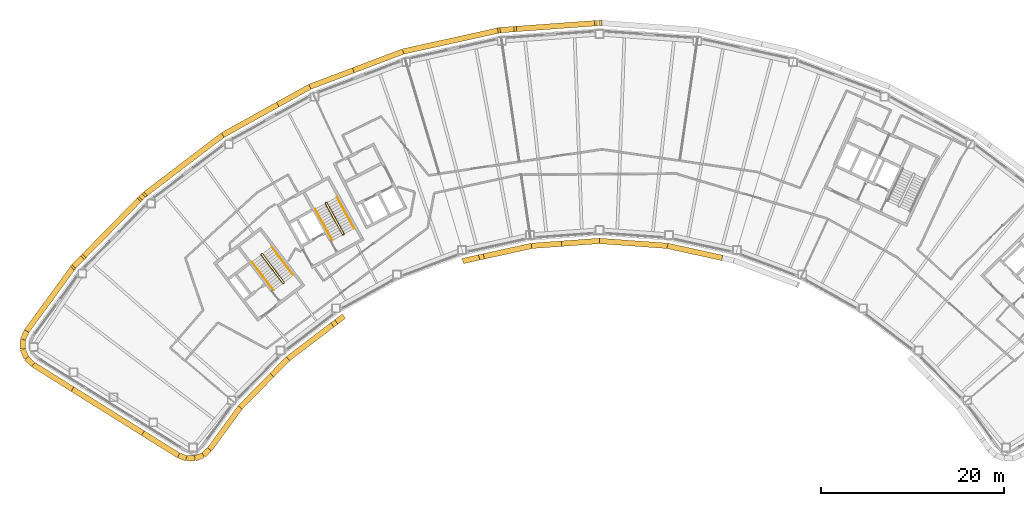
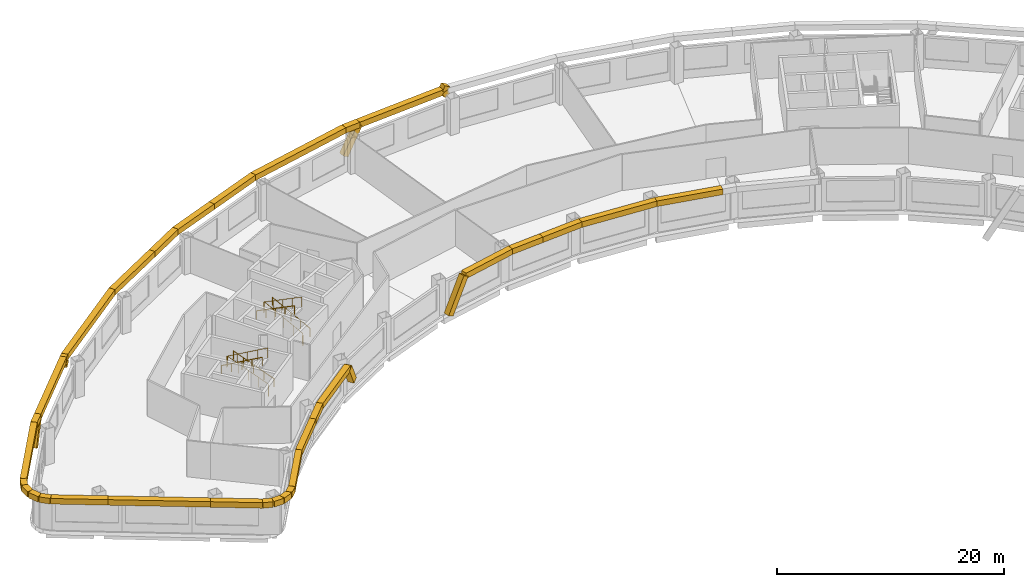
# One storey, part 11 of 12: 39 coverings, 6 railings.
"""IFC4 building model written with IfcOpenShell, lengths in metres."""

from ifc_helpers import new_model, si_unit, direction, frame, origin, origin_2d, place, context, subcontext, project, spatial, rectangle, circle, extrude, material, material_profile, profile_set, type_object, element, save


model = new_model("IFC4")

# Units and contexts
model_context = context("Model", 3, precision=1e-05, world=origin(), true_north=direction((0.0, 1.0)))
body_context = subcontext(model_context, "Body", "Model", "MODEL_VIEW")
ifc_project = project(units=[si_unit("LENGTHUNIT", "METRE"), si_unit("AREAUNIT", "SQUARE_METRE"), si_unit("VOLUMEUNIT", "CUBIC_METRE"), si_unit("PLANEANGLEUNIT", "RADIAN"), si_unit("MASSUNIT", "GRAM", prefix="KILO")], contexts=[model_context])

# Site, building, storey
site_placement = place(None, origin())
site = spatial("IfcSite", under=ifc_project, at=site_placement, CompositionType="ELEMENT")
building_placement = place(site_placement, origin())
building = spatial("IfcBuilding", under=site, at=building_placement, Name="Tuul Gate Civic Tower", CompositionType="ELEMENT")
storey_placement = place(building_placement, frame((0.0, 0.0, 176.300048828125)))
storey = spatial("IfcBuildingStorey", under=building, at=storey_placement, Name="Level 40", CompositionType="ELEMENT", Elevation=176.300048828125)

# Railings
ifc_material_1 = material(Name="Painted steel", Category="steel")
railing_type_1 = type_object("IfcRailingType", Name="Stair guard", PredefinedType="GUARDRAIL", material=ifc_material_1)
railing_1_placement = place(storey_placement, frame((-33.382080078125, -13.515380859375, 0.0)))
element("IfcRailing", 1, at=railing_1_placement, inside=storey, type_object=railing_type_1, Name="Level 40 ST-1 stair guard 1", PredefinedType="GUARDRAIL", context=body_context, shape_type="SweptSolid", body=[
    extrude(circle(Radius=0.02392578125, at=origin_2d()), frame((0.0, 0.0, 1.076171875), z_axis=(-0.795879841968, -0.605454603706, 0.0), x_axis=(0.605454603706, -0.795879841968, 0.0)), (0.0, 0.0, 1.0), 0.10009765625),
    extrude(circle(Radius=0.02392578125, at=origin_2d()), frame((-0.07958984375, -0.060546875, 1.076171875), z_axis=(0.408991890351, 0.599481263939, 0.688002796371), x_axis=(-0.826063974707, 0.563576356576, 0.0)), (0.0, 0.0, 1.0), 0.2177734375),
    extrude(circle(Radius=0.02392578125, at=origin_2d()), frame((0.009521484375, 0.070068359375, 1.22607421875), z_axis=(-0.541824460341, 0.711645023348, 0.447199748346), x_axis=(-0.795637165283, -0.60577347352, 0.0)), (0.0, 0.0, 1.0), 4.3603515625),
    extrude(circle(Radius=0.02392578125, at=origin_2d()), frame((-2.35302734375, 3.173095703125, 3.17578125), z_axis=(-0.990893089246, 0.134650977284, 0.0), x_axis=(-0.134650977284, -0.990893089246, 0.0)), (0.0, 0.0, 1.0), 0.07080078125),
    extrude(circle(Radius=0.02392578125, at=origin_2d()), frame((-2.423095703125, 3.1826171875, 3.17578125), z_axis=(-0.793802879778, -0.60817512943, 0.0), x_axis=(0.60817512943, -0.793802879778, 0.0)), (0.0, 0.0, 1.0), 0.099853515625),
    extrude(circle(Radius=0.02392578125, at=origin_2d()), frame((-2.50244140625, 3.121826171875, 3.17578125), z_axis=(-0.057370624079, -0.422188951554, 0.904690610473), x_axis=(0.990893089246, -0.134650977284, 0.0)), (0.0, 0.0, 1.0), 0.166015625),
    extrude(circle(Radius=0.02392578125, at=origin_2d()), frame((-2.511962890625, 3.0517578125, 3.326171875), z_axis=(0.541806494602, -0.71163897684, 0.447231136047), x_axis=(0.795644365679, 0.605764016233, 0.0)), (0.0, 0.0, 1.0), 4.360107421875),
    extrude(circle(Radius=0.02099609375, at=origin_2d()), origin(), (0.0, 0.0, 1.0), 1.052001953125),
    extrude(circle(Radius=0.02099609375, at=origin_2d()), frame((-0.07958984375, -0.060546875, 0.0)), (0.0, 0.0, 1.0), 1.052001953125),
    extrude(circle(Radius=0.02099609375, at=origin_2d()), frame((0.009521484375, 0.070068359375, 0.14990234375)), (0.0, 0.0, 1.0), 1.052001953125),
    extrude(circle(Radius=0.02099609375, at=origin_2d()), frame((-0.5810546875, 0.845703125, 0.637451171875)), (0.0, 0.0, 1.0), 1.052001953125),
    extrude(circle(Radius=0.02099609375, at=origin_2d()), frame((-1.171875, 1.62158203125, 1.125)), (0.0, 0.0, 1.0), 1.052001953125),
    extrude(circle(Radius=0.02099609375, at=origin_2d()), frame((-1.762451171875, 2.3974609375, 1.6123046875)), (0.0, 0.0, 1.0), 1.052001953125),
    extrude(circle(Radius=0.02099609375, at=origin_2d()), frame((-2.35302734375, 3.173095703125, 2.099853515625)), (0.0, 0.0, 1.0), 1.052001953125),
    extrude(circle(Radius=0.02099609375, at=origin_2d()), frame((-2.423095703125, 3.1826171875, 2.099853515625)), (0.0, 0.0, 1.0), 1.052001953125),
    extrude(circle(Radius=0.02099609375, at=origin_2d()), frame((-2.50244140625, 3.121826171875, 2.099853515625)), (0.0, 0.0, 1.0), 1.052001953125),
    extrude(circle(Radius=0.02099609375, at=origin_2d()), frame((-2.511962890625, 3.0517578125, 2.25)), (0.0, 0.0, 1.0), 1.052001953125),
    extrude(circle(Radius=0.02099609375, at=origin_2d()), frame((-1.92138671875, 2.276123046875, 2.737548828125)), (0.0, 0.0, 1.0), 1.052001953125),
    extrude(circle(Radius=0.02099609375, at=origin_2d()), frame((-1.330810546875, 1.50048828125, 3.22509765625)), (0.0, 0.0, 1.0), 1.052001953125),
    extrude(circle(Radius=0.02099609375, at=origin_2d()), frame((-0.740234375, 0.724609375, 3.71240234375)), (0.0, 0.0, 1.0), 1.052001953125),
    extrude(circle(Radius=0.02099609375, at=origin_2d()), frame((-0.149658203125, -0.051025390625, 4.199951171875)), (0.0, 0.0, 1.0), 1.052001953125),
])
railing_2_placement = place(storey_placement, frame((-26.857666015625, -8.247314453125, 0.0)))
element("IfcRailing", 2, at=railing_2_placement, inside=storey, type_object=railing_type_1, Name="Level 40 ST-2 stair guard 1", PredefinedType="GUARDRAIL", context=body_context, shape_type="SweptSolid", body=[
    extrude(circle(Radius=0.02392578125, at=origin_2d()), frame((0.0, 0.0, 1.076171875), z_axis=(-0.874616555828, -0.48481530532, 0.0), x_axis=(0.48481530532, -0.874616555828, 0.0)), (0.0, 0.0, 1.0), 0.10009765625),
    extrude(circle(Radius=0.02392578125, at=origin_2d()), frame((-0.087646484375, -0.048583984375, 1.076171875), z_axis=(0.49081399482, 0.534516610797, 0.688036056665), x_axis=(-0.736576986774, 0.676353711126, 0.0)), (0.0, 0.0, 1.0), 0.2177734375),
    extrude(circle(Radius=0.02392578125, at=origin_2d()), frame((0.019287109375, 0.06787109375, 1.22607421875), z_axis=(-0.43354991378, 0.782327185242, 0.447212083348), x_axis=(-0.874667644053, -0.484723129681, 0.0)), (0.0, 0.0, 1.0), 4.3603515625),
    extrude(circle(Radius=0.02392578125, at=origin_2d()), frame((-1.87109375, 3.47900390625, 3.17578125), z_axis=(-0.961263487578, 0.275631107549, 0.0), x_axis=(-0.275631107549, -0.961263487578, 0.0)), (0.0, 0.0, 1.0), 0.07080078125),
    extrude(circle(Radius=0.02392578125, at=origin_2d()), frame((-1.939208984375, 3.49853515625, 3.17578125), z_axis=(-0.874042088414, -0.485850211157, 0.0), x_axis=(0.485850211157, -0.874042088414, 0.0)), (0.0, 0.0, 1.0), 0.10009765625),
    extrude(circle(Radius=0.02392578125, at=origin_2d()), frame((-2.026611328125, 3.449951171875, 3.17578125), z_axis=(-0.117709570447, -0.409040757305, 0.904892322815), x_axis=(0.961000426733, -0.276546885391, 0.0)), (0.0, 0.0, 1.0), 0.166015625),
    extrude(circle(Radius=0.02392578125, at=origin_2d()), frame((-2.046142578125, 3.382080078125, 3.326171875), z_axis=(0.433595379963, -0.782308193291, 0.447201226726), x_axis=(0.874641102302, 0.484771020343, 0.0)), (0.0, 0.0, 1.0), 4.3603515625),
    extrude(circle(Radius=0.02099609375, at=origin_2d()), origin(), (0.0, 0.0, 1.0), 1.052001953125),
    extrude(circle(Radius=0.02099609375, at=origin_2d()), frame((-0.087646484375, -0.048583984375, 0.0)), (0.0, 0.0, 1.0), 1.052001953125),
    extrude(circle(Radius=0.02099609375, at=origin_2d()), frame((0.019287109375, 0.06787109375, 0.14990234375)), (0.0, 0.0, 1.0), 1.052001953125),
    extrude(circle(Radius=0.02099609375, at=origin_2d()), frame((-0.453369140625, 0.920654296875, 0.637451171875)), (0.0, 0.0, 1.0), 1.052001953125),
    extrude(circle(Radius=0.02099609375, at=origin_2d()), frame((-0.92578125, 1.7734375, 1.125)), (0.0, 0.0, 1.0), 1.052001953125),
    extrude(circle(Radius=0.02099609375, at=origin_2d()), frame((-1.3984375, 2.626220703125, 1.6123046875)), (0.0, 0.0, 1.0), 1.052001953125),
    extrude(circle(Radius=0.02099609375, at=origin_2d()), frame((-1.87109375, 3.47900390625, 2.099853515625)), (0.0, 0.0, 1.0), 1.052001953125),
    extrude(circle(Radius=0.02099609375, at=origin_2d()), frame((-1.939208984375, 3.49853515625, 2.099853515625)), (0.0, 0.0, 1.0), 1.052001953125),
    extrude(circle(Radius=0.02099609375, at=origin_2d()), frame((-2.026611328125, 3.449951171875, 2.099853515625)), (0.0, 0.0, 1.0), 1.052001953125),
    extrude(circle(Radius=0.02099609375, at=origin_2d()), frame((-2.046142578125, 3.382080078125, 2.25)), (0.0, 0.0, 1.0), 1.052001953125),
    extrude(circle(Radius=0.02099609375, at=origin_2d()), frame((-1.573486328125, 2.529296875, 2.737548828125)), (0.0, 0.0, 1.0), 1.052001953125),
    extrude(circle(Radius=0.02099609375, at=origin_2d()), frame((-1.100830078125, 1.676513671875, 3.22509765625)), (0.0, 0.0, 1.0), 1.052001953125),
    extrude(circle(Radius=0.02099609375, at=origin_2d()), frame((-0.628173828125, 0.82373046875, 3.71240234375)), (0.0, 0.0, 1.0), 1.052001953125),
    extrude(circle(Radius=0.02099609375, at=origin_2d()), frame((-0.155517578125, -0.029052734375, 4.199951171875)), (0.0, 0.0, 1.0), 1.052001953125),
])
ifc_material_2 = material(Name="Painted steel", Category="steel")
railing_type_2 = type_object("IfcRailingType", Name="Stair handrail", PredefinedType="HANDRAIL", material=ifc_material_2)
railing_3_placement = place(storey_placement, frame((-32.3779296875, -12.688232421875, 0.14990234375)))
element("IfcRailing", 3, at=railing_3_placement, inside=storey, type_object=railing_type_2, Name="Level 40 ST-1 stair handrail 1", PredefinedType="HANDRAIL", context=body_context, shape_type="SweptSolid", body=[
    extrude(circle(Radius=0.02392578125, at=origin_2d()), frame((0.0, 0.0, 0.8759765625), z_axis=(-0.541824460341, 0.711645023348, 0.447199748346), x_axis=(-0.795637165283, -0.60577347352, 0.0)), (0.0, 0.0, 1.0), 4.3603515625),
    extrude(circle(Radius=0.02099609375, at=origin_2d()), origin(), (0.0, 0.0, 1.0), 0.851806640625),
    extrude(circle(Radius=0.02099609375, at=origin_2d()), frame((-0.590576171875, 0.77587890625, 0.487548828125)), (0.0, 0.0, 1.0), 0.851806640625),
    extrude(circle(Radius=0.02099609375, at=origin_2d()), frame((-1.18115234375, 1.551513671875, 0.97509765625)), (0.0, 0.0, 1.0), 0.851806640625),
    extrude(circle(Radius=0.02099609375, at=origin_2d()), frame((-1.77197265625, 2.3271484375, 1.46240234375)), (0.0, 0.0, 1.0), 0.851806640625),
    extrude(circle(Radius=0.02099609375, at=origin_2d()), frame((-2.362548828125, 3.10302734375, 1.949951171875)), (0.0, 0.0, 1.0), 0.851806640625),
])
railing_4_placement = place(storey_placement, frame((-36.888671875, -11.220703125, 2.25)))
element("IfcRailing", 4, at=railing_4_placement, inside=storey, type_object=railing_type_2, Name="Level 40 ST-1 stair handrail 2", PredefinedType="HANDRAIL", context=body_context, shape_type="SweptSolid", body=[
    extrude(circle(Radius=0.02392578125, at=origin_2d()), frame((0.0, 0.0, 0.8759765625), z_axis=(0.541824460341, -0.711645023348, 0.447199748346), x_axis=(0.795637165283, 0.60577347352, 0.0)), (0.0, 0.0, 1.0), 4.3603515625),
    extrude(circle(Radius=0.02099609375, at=origin_2d()), origin(), (0.0, 0.0, 1.0), 0.851806640625),
    extrude(circle(Radius=0.02099609375, at=origin_2d()), frame((0.590576171875, -0.77587890625, 0.487548828125)), (0.0, 0.0, 1.0), 0.851806640625),
    extrude(circle(Radius=0.02099609375, at=origin_2d()), frame((1.18115234375, -1.551513671875, 0.97509765625)), (0.0, 0.0, 1.0), 0.851806640625),
    extrude(circle(Radius=0.02099609375, at=origin_2d()), frame((1.77197265625, -2.3271484375, 1.46240234375)), (0.0, 0.0, 1.0), 0.851806640625),
    extrude(circle(Radius=0.02099609375, at=origin_2d()), frame((2.362548828125, -3.10302734375, 1.949951171875)), (0.0, 0.0, 1.0), 0.851806640625),
])
railing_5_placement = place(storey_placement, frame((-25.744873046875, -7.573486328125, 0.14990234375)))
element("IfcRailing", 5, at=railing_5_placement, inside=storey, type_object=railing_type_2, Name="Level 40 ST-2 stair handrail 1", PredefinedType="HANDRAIL", context=body_context, shape_type="SweptSolid", body=[
    extrude(circle(Radius=0.02392578125, at=origin_2d()), frame((0.0, 0.0, 0.8759765625), z_axis=(-0.433595379963, 0.782308193291, 0.447201226726), x_axis=(-0.874641102302, -0.484771020343, 0.0)), (0.0, 0.0, 1.0), 4.3603515625),
    extrude(circle(Radius=0.02099609375, at=origin_2d()), origin(), (0.0, 0.0, 1.0), 0.851806640625),
    extrude(circle(Radius=0.02099609375, at=origin_2d()), frame((-0.47265625, 0.852783203125, 0.487548828125)), (0.0, 0.0, 1.0), 0.851806640625),
    extrude(circle(Radius=0.02099609375, at=origin_2d()), frame((-0.9453125, 1.70556640625, 0.97509765625)), (0.0, 0.0, 1.0), 0.851806640625),
    extrude(circle(Radius=0.02099609375, at=origin_2d()), frame((-1.41796875, 2.558349609375, 1.46240234375)), (0.0, 0.0, 1.0), 0.851806640625),
    extrude(circle(Radius=0.02099609375, at=origin_2d()), frame((-1.890625, 3.4111328125, 1.949951171875)), (0.0, 0.0, 1.0), 0.851806640625),
])
railing_6_placement = place(storey_placement, frame((-29.9970703125, -5.47119140625, 2.25)))
element("IfcRailing", 6, at=railing_6_placement, inside=storey, type_object=railing_type_2, Name="Level 40 ST-2 stair handrail 2", PredefinedType="HANDRAIL", context=body_context, shape_type="SweptSolid", body=[
    extrude(circle(Radius=0.02392578125, at=origin_2d()), frame((0.0, 0.0, 0.8759765625), z_axis=(0.433595379963, -0.782308193291, 0.447201226726), x_axis=(0.874641102302, 0.484771020343, 0.0)), (0.0, 0.0, 1.0), 4.3603515625),
    extrude(circle(Radius=0.02099609375, at=origin_2d()), origin(), (0.0, 0.0, 1.0), 0.851806640625),
    extrude(circle(Radius=0.02099609375, at=origin_2d()), frame((0.47265625, -0.852783203125, 0.487548828125)), (0.0, 0.0, 1.0), 0.851806640625),
    extrude(circle(Radius=0.02099609375, at=origin_2d()), frame((0.9453125, -1.70556640625, 0.97509765625)), (0.0, 0.0, 1.0), 0.851806640625),
    extrude(circle(Radius=0.02099609375, at=origin_2d()), frame((1.41796875, -2.558349609375, 1.46240234375)), (0.0, 0.0, 1.0), 0.851806640625),
    extrude(circle(Radius=0.02099609375, at=origin_2d()), frame((1.890625, -3.4111328125, 1.949951171875)), (0.0, 0.0, 1.0), 0.851806640625),
])

# Coverings
ifc_material_3 = material(Name="Terracotta baguette", Category="masonry")
ifc_material_profile = material_profile(ifc_material_3, rectangle(XDim=0.60009765625, YDim=0.60009765625, at=origin_2d()), Name="Terracotta baguette screen frame")
ifc_profile_set = profile_set([ifc_material_profile], Name="Terracotta baguette")
covering_type = type_object("IfcCoveringType", Name="Terracotta baguette screen frame", PredefinedType="CLADDING", material=ifc_profile_set)
covering_1_placement = place(storey_placement, frame((0.989990234375, 14.819091796875, 4.348388671875), z_axis=(-0.473972231747, -0.034470707763, -0.879864815661), x_axis=(0.072535695779, -0.997365816959, 0.0)))
element("IfcCovering", 7, at=covering_1_placement, inside=storey, type_object=covering_type, Name="Baguette 70", PredefinedType="CLADDING", context=body_context, shape_type="SweptSolid", body=[
    extrude(rectangle(XDim=0.60009765625, YDim=0.60009765625, at=origin_2d()), origin(), (0.0, 0.0, 1.0), 0.566650390625),
])
covering_2_placement = place(storey_placement, frame((0.721435546875, 14.799560546875, 3.849853515625), z_axis=(0.474151982083, 0.034483780515, -0.879767450392), x_axis=(-0.072535695779, 0.997365816959, 0.0)))
element("IfcCovering", 8, at=covering_2_placement, inside=storey, type_object=covering_type, Name="Baguette 73", PredefinedType="CLADDING", context=body_context, shape_type="SweptSolid", body=[
    extrude(rectangle(XDim=0.60009765625, YDim=0.60009765625, at=origin_2d()), origin(), (0.0, 0.0, 1.0), 0.56640625),
])
covering_3_placement = place(storey_placement, frame((0.721435546875, 14.799560546875, 3.849853515625), z_axis=(-0.997388140467, -0.072228091871, 0.0), x_axis=(0.072228091871, -0.997388140467, 0.0)))
element("IfcCovering", 9, at=covering_3_placement, inside=storey, type_object=covering_type, Name="Baguette 75", PredefinedType="CLADDING", context=body_context, shape_type="SweptSolid", body=[
    extrude(rectangle(XDim=0.60009765625, YDim=0.60009765625, at=origin_2d()), origin(), (0.0, 0.0, 1.0), 9.072265625),
])
covering_4_placement = place(storey_placement, frame((-8.3271484375, 14.144287109375, 3.849853515625), z_axis=(-0.473998860625, -0.03433994987, -0.879855583587), x_axis=(0.072257946867, -0.997385978002, 0.0)))
element("IfcCovering", 10, at=covering_4_placement, inside=storey, type_object=covering_type, Name="Baguette 79", PredefinedType="CLADDING", context=body_context, shape_type="SweptSolid", body=[
    extrude(rectangle(XDim=0.60009765625, YDim=0.60009765625, at=origin_2d()), origin(), (0.0, 0.0, 1.0), 3.177978515625),
])
covering_5_placement = place(storey_placement, frame((-25.83984375, 9.653564453125, 3.849853515625), z_axis=(-0.935351328768, -0.353720075442, 0.0), x_axis=(0.353720075442, -0.935351328768, 0.0)))
element("IfcCovering", 11, at=covering_5_placement, inside=storey, type_object=covering_type, Name="Baguette 96", PredefinedType="CLADDING", context=body_context, shape_type="SweptSolid", body=[
    extrude(rectangle(XDim=0.60009765625, YDim=0.60009765625, at=origin_2d()), origin(), (0.0, 0.0, 1.0), 5.06689453125),
])
covering_6_placement = place(storey_placement, frame((-30.5791015625, 7.861328125, 3.849853515625), z_axis=(-0.874628361903, -0.484794006312, 0.0), x_axis=(0.484794006312, -0.874628361903, 0.0)))
element("IfcCovering", 12, at=covering_6_placement, inside=storey, type_object=covering_type, Name="Baguette 97", PredefinedType="CLADDING", context=body_context, shape_type="SweptSolid", body=[
    extrude(rectangle(XDim=0.60009765625, YDim=0.60009765625, at=origin_2d()), origin(), (0.0, 0.0, 1.0), 4.005615234375),
])
covering_7_placement = place(storey_placement, frame((-49.01708984375, -4.29296875, 3.849853515625), z_axis=(0.332665127515, 0.339401337262, -0.879852626978), x_axis=(-0.714158332197, 0.69998419736, 0.0)))
element("IfcCovering", 13, at=covering_7_placement, inside=storey, type_object=covering_type, Name="Baguette 115", PredefinedType="CLADDING", context=body_context, shape_type="SweptSolid", body=[
    extrude(rectangle(XDim=0.60009765625, YDim=0.60009765625, at=origin_2d()), origin(), (0.0, 0.0, 1.0), 0.9423828125),
])
covering_8_placement = place(storey_placement, frame((-49.01708984375, -4.29296875, 3.849853515625), z_axis=(-0.700048272114, -0.714095523519, 0.0), x_axis=(0.714095523519, -0.700048272114, 0.0)))
element("IfcCovering", 14, at=covering_8_placement, inside=storey, type_object=covering_type, Name="Baguette 117", PredefinedType="CLADDING", context=body_context, shape_type="SweptSolid", body=[
    extrude(rectangle(XDim=0.60009765625, YDim=0.60009765625, at=origin_2d()), origin(), (0.0, 0.0, 1.0), 9.072265625),
])
covering_9_placement = place(storey_placement, frame((-55.3681640625, -10.771484375, 3.849853515625), z_axis=(-0.332594617823, -0.339307536714, -0.879915459419), x_axis=(0.714135785527, -0.700007199842, 0.0)))
element("IfcCovering", 15, at=covering_9_placement, inside=storey, type_object=covering_type, Name="Baguette 121", PredefinedType="CLADDING", context=body_context, shape_type="SweptSolid", body=[
    extrude(rectangle(XDim=0.60009765625, YDim=0.60009765625, at=origin_2d()), origin(), (0.0, 0.0, 1.0), 2.80029296875),
])
covering_10_placement = place(storey_placement, frame((-56.455810546875, -25.094482421875, 3.849853515625), z_axis=(0.848058898511, -0.529901976461, 0.0), x_axis=(0.529901976461, 0.848058898511, 0.0)))
element("IfcCovering", 16, at=covering_10_placement, inside=storey, type_object=covering_type, Name="Baguette 150", PredefinedType="CLADDING", context=body_context, shape_type="SweptSolid", body=[
    extrude(rectangle(XDim=0.60009765625, YDim=0.60009765625, at=origin_2d()), origin(), (0.0, 0.0, 1.0), 9.05322265625),
])
covering_11_placement = place(storey_placement, frame((-34.7177734375, -23.561767578125, 3.849853515625), z_axis=(0.700087148809, 0.714057409507, 0.0), x_axis=(-0.714057409507, 0.700087148809, 0.0)))
element("IfcCovering", 17, at=covering_11_placement, inside=storey, type_object=covering_type, Name="Baguette 181", PredefinedType="CLADDING", context=body_context, shape_type="SweptSolid", body=[
    extrude(rectangle(XDim=0.60009765625, YDim=0.60009765625, at=origin_2d()), origin(), (0.0, 0.0, 1.0), 2.4814453125),
])
covering_12_placement = place(storey_placement, frame((-32.98046875, -21.789794921875, 3.849853515625), z_axis=(0.795586533253, 0.605839969057, 0.0), x_axis=(-0.605839969057, 0.795586533253, 0.0)))
element("IfcCovering", 18, at=covering_12_placement, inside=storey, type_object=covering_type, Name="Baguette 182", PredefinedType="CLADDING", context=body_context, shape_type="SweptSolid", body=[
    extrude(rectangle(XDim=0.60009765625, YDim=0.60009765625, at=origin_2d()), origin(), (0.0, 0.0, 1.0), 6.370361328125),
])
covering_13_placement = place(storey_placement, frame((-27.912353515625, -17.930419921875, 3.849853515625), z_axis=(0.370903292245, 0.282468822448, -0.884670623536), x_axis=(-0.605874698824, 0.795560085302, 0.0)))
element("IfcCovering", 19, at=covering_13_placement, inside=storey, type_object=covering_type, Name="Baguette 186", PredefinedType="CLADDING", context=body_context, shape_type="SweptSolid", body=[
    extrude(rectangle(XDim=0.60009765625, YDim=0.60009765625, at=origin_2d()), origin(), (0.0, 0.0, 1.0), 2.247314453125),
])
covering_14_placement = place(storey_placement, frame((-11.874755859375, -10.683837890625, 3.849853515625), z_axis=(-0.455229347503, -0.100335498866, -0.884702791247), x_axis=(0.215240395152, -0.976561095014, 0.0)))
element("IfcCovering", 20, at=covering_14_placement, inside=storey, type_object=covering_type, Name="Baguette 204", PredefinedType="CLADDING", context=body_context, shape_type="SweptSolid", body=[
    extrude(rectangle(XDim=0.60009765625, YDim=0.60009765625, at=origin_2d()), origin(), (0.0, 0.0, 1.0), 3.9052734375),
])
covering_15_placement = place(storey_placement, frame((-11.874755859375, -10.683837890625, 3.849853515625), z_axis=(0.97655816768, 0.215253676247, 0.0), x_axis=(-0.215253676247, 0.97655816768, 0.0)))
element("IfcCovering", 21, at=covering_15_placement, inside=storey, type_object=covering_type, Name="Baguette 206", PredefinedType="CLADDING", context=body_context, shape_type="SweptSolid", body=[
    extrude(rectangle(XDim=0.60009765625, YDim=0.60009765625, at=origin_2d()), origin(), (0.0, 0.0, 1.0), 5.59716796875),
])
covering_16_placement = place(storey_placement, frame((-6.40869140625, -9.47900390625, 3.849853515625), z_axis=(0.997387381497, 0.072238571629, 0.0), x_axis=(-0.072238571629, 0.997387381497, 0.0)))
element("IfcCovering", 22, at=covering_16_placement, inside=storey, type_object=covering_type, Name="Baguette 207", PredefinedType="CLADDING", context=body_context, shape_type="SweptSolid", body=[
    extrude(rectangle(XDim=0.60009765625, YDim=0.60009765625, at=origin_2d()), origin(), (0.0, 0.0, 1.0), 3.254638671875),
])
covering_17_placement = place(storey_placement, frame((-8.3271484375, 14.144287109375, 3.849853515625), z_axis=(-0.997385978002, -0.072257946867, 0.0), x_axis=(0.072257946867, -0.997385978002, 0.0)))
element("IfcCovering", 23, at=covering_17_placement, inside=storey, type_object=covering_type, Name="Baguette 302", PredefinedType="CLADDING", context=body_context, shape_type="SweptSolid", body=[
    extrude(rectangle(XDim=0.60009765625, YDim=0.60009765625, at=origin_2d()), origin(), (0.0, 0.0, 1.0), 1.51025390625),
])
covering_18_placement = place(storey_placement, frame((-9.83349609375, 14.03515625, 3.849853515625), z_axis=(-0.976560440974, -0.215243362557, 0.0), x_axis=(0.215243362557, -0.976560440974, 0.0)))
element("IfcCovering", 24, at=covering_18_placement, inside=storey, type_object=covering_type, Name="Baguette 303", PredefinedType="CLADDING", context=body_context, shape_type="SweptSolid", body=[
    extrude(rectangle(XDim=0.60009765625, YDim=0.60009765625, at=origin_2d()), origin(), (0.0, 0.0, 1.0), 10.850341796875),
])
covering_19_placement = place(storey_placement, frame((-20.429443359375, 11.69970703125, 3.849853515625), z_axis=(-0.93534552268, -0.353735428256, 0.0), x_axis=(0.353735428256, -0.93534552268, 0.0)))
element("IfcCovering", 25, at=covering_19_placement, inside=storey, type_object=covering_type, Name="Baguette 304", PredefinedType="CLADDING", context=body_context, shape_type="SweptSolid", body=[
    extrude(rectangle(XDim=0.60009765625, YDim=0.60009765625, at=origin_2d()), origin(), (0.0, 0.0, 1.0), 5.784423828125),
])
covering_20_placement = place(storey_placement, frame((-34.08251953125, 5.91943359375, 3.849853515625), z_axis=(-0.874626201683, -0.484797903595, 0.0), x_axis=(0.484797903595, -0.874626201683, 0.0)))
element("IfcCovering", 26, at=covering_20_placement, inside=storey, type_object=covering_type, Name="Baguette 307", PredefinedType="CLADDING", context=body_context, shape_type="SweptSolid", body=[
    extrude(rectangle(XDim=0.60009765625, YDim=0.60009765625, at=origin_2d()), origin(), (0.0, 0.0, 1.0), 6.845947265625),
])
covering_21_placement = place(storey_placement, frame((-40.070068359375, 2.6005859375, 3.849853515625), z_axis=(-0.795618643442, -0.605797799771, 0.0), x_axis=(0.605797799771, -0.795618643442, 0.0)))
element("IfcCovering", 27, at=covering_21_placement, inside=storey, type_object=covering_type, Name="Baguette 308", PredefinedType="CLADDING", context=body_context, shape_type="SweptSolid", body=[
    extrude(rectangle(XDim=0.60009765625, YDim=0.60009765625, at=origin_2d()), origin(), (0.0, 0.0, 1.0), 10.851318359375),
])
covering_22_placement = place(storey_placement, frame((-48.70361328125, -3.97314453125, 3.849853515625), z_axis=(-0.69998419736, -0.714158332197, 0.0), x_axis=(0.714158332197, -0.69998419736, 0.0)))
element("IfcCovering", 28, at=covering_22_placement, inside=storey, type_object=covering_type, Name="Baguette 309", PredefinedType="CLADDING", context=body_context, shape_type="SweptSolid", body=[
    extrude(rectangle(XDim=0.60009765625, YDim=0.60009765625, at=origin_2d()), origin(), (0.0, 0.0, 1.0), 0.44775390625),
])
covering_23_placement = place(storey_placement, frame((-55.3681640625, -10.771484375, 3.849853515625), z_axis=(-0.700007199842, -0.714135785527, 0.0), x_axis=(0.714135785527, -0.700007199842, 0.0)))
element("IfcCovering", 29, at=covering_23_placement, inside=storey, type_object=covering_type, Name="Baguette 316", PredefinedType="CLADDING", context=body_context, shape_type="SweptSolid", body=[
    extrude(rectangle(XDim=0.60009765625, YDim=0.60009765625, at=origin_2d()), origin(), (0.0, 0.0, 1.0), 1.33056640625),
])
covering_24_placement = place(storey_placement, frame((-56.299560546875, -11.7216796875, 3.849853515625), z_axis=(-0.589764286523, -0.807575436936, 0.0), x_axis=(0.807575436936, -0.589764286523, 0.0)))
element("IfcCovering", 30, at=covering_24_placement, inside=storey, type_object=covering_type, Name="Baguette 317", PredefinedType="CLADDING", context=body_context, shape_type="SweptSolid", body=[
    extrude(rectangle(XDim=0.60009765625, YDim=0.60009765625, at=origin_2d()), origin(), (0.0, 0.0, 1.0), 8.735107421875),
])
covering_25_placement = place(storey_placement, frame((-61.451171875, -18.77587890625, 3.849853515625), z_axis=(-0.413393330634, -0.910552554325, 0.0), x_axis=(0.910552554325, -0.413393330634, 0.0)))
element("IfcCovering", 31, at=covering_25_placement, inside=storey, type_object=covering_type, Name="Baguette 318", PredefinedType="CLADDING", context=body_context, shape_type="SweptSolid", body=[
    extrude(rectangle(XDim=0.60009765625, YDim=0.60009765625, at=origin_2d()), origin(), (0.0, 0.0, 1.0), 0.988037109375),
])
covering_26_placement = place(storey_placement, frame((-61.859619140625, -19.675537109375, 3.849853515625), z_axis=(-0.014633694716, -0.999892921757, 0.0), x_axis=(0.999892921757, -0.014633694716, 0.0)))
element("IfcCovering", 32, at=covering_26_placement, inside=storey, type_object=covering_type, Name="Baguette 319", PredefinedType="CLADDING", context=body_context, shape_type="SweptSolid", body=[
    extrude(rectangle(XDim=0.60009765625, YDim=0.60009765625, at=origin_2d()), origin(), (0.0, 0.0, 1.0), 1.067626953125),
])
covering_27_placement = place(storey_placement, frame((-61.875244140625, -20.7431640625, 3.849853515625), z_axis=(0.385784883999, -0.922588761734, 0.0), x_axis=(0.922588761734, 0.385784883999, 0.0)))
element("IfcCovering", 33, at=covering_27_placement, inside=storey, type_object=covering_type, Name="Baguette 320", PredefinedType="CLADDING", context=body_context, shape_type="SweptSolid", body=[
    extrude(rectangle(XDim=0.60009765625, YDim=0.60009765625, at=origin_2d()), origin(), (0.0, 0.0, 1.0), 1.06689453125),
])
covering_28_placement = place(storey_placement, frame((-61.463623046875, -21.7275390625, 3.849853515625), z_axis=(0.722137314744, -0.691749737011, 0.0), x_axis=(0.691749737011, 0.722137314744, 0.0)))
element("IfcCovering", 34, at=covering_28_placement, inside=storey, type_object=covering_type, Name="Baguette 321", PredefinedType="CLADDING", context=body_context, shape_type="SweptSolid", body=[
    extrude(rectangle(XDim=0.60009765625, YDim=0.60009765625, at=origin_2d()), origin(), (0.0, 0.0, 1.0), 0.98828125),
])
covering_29_placement = place(storey_placement, frame((-60.75, -22.4111328125, 3.849853515625), z_axis=(0.848044348334, -0.529925261956, 0.0), x_axis=(0.529925261956, 0.848044348334, 0.0)))
element("IfcCovering", 35, at=covering_29_placement, inside=storey, type_object=covering_type, Name="Baguette 322", PredefinedType="CLADDING", context=body_context, shape_type="SweptSolid", body=[
    extrude(rectangle(XDim=0.60009765625, YDim=0.60009765625, at=origin_2d()), origin(), (0.0, 0.0, 1.0), 5.063720703125),
])
covering_30_placement = place(storey_placement, frame((-48.778076171875, -29.891845703125, 3.849853515625), z_axis=(0.848052215177, -0.529912672365, 0.0), x_axis=(0.529912672365, 0.848052215177, 0.0)))
element("IfcCovering", 36, at=covering_30_placement, inside=storey, type_object=covering_type, Name="Baguette 323", PredefinedType="CLADDING", context=body_context, shape_type="SweptSolid", body=[
    extrude(rectangle(XDim=0.60009765625, YDim=0.60009765625, at=origin_2d()), origin(), (0.0, 0.0, 1.0), 4.5791015625),
])
covering_31_placement = place(storey_placement, frame((-44.894775390625, -32.318359375, 3.849853515625), z_axis=(0.931836861998, -0.362877476047, 0.0), x_axis=(0.362877476047, 0.931836861998, 0.0)))
element("IfcCovering", 37, at=covering_31_placement, inside=storey, type_object=covering_type, Name="Baguette 324", PredefinedType="CLADDING", context=body_context, shape_type="SweptSolid", body=[
    extrude(rectangle(XDim=0.60009765625, YDim=0.60009765625, at=origin_2d()), origin(), (0.0, 0.0, 1.0), 0.901611328125),
])
covering_32_placement = place(storey_placement, frame((-44.0546875, -32.6455078125, 3.849853515625), z_axis=(0.999995470638, 0.003009768158, 0.0), x_axis=(-0.003009768158, 0.999995470638, 0.0)))
element("IfcCovering", 38, at=covering_32_placement, inside=storey, type_object=covering_type, Name="Baguette 325", PredefinedType="CLADDING", context=body_context, shape_type="SweptSolid", body=[
    extrude(rectangle(XDim=0.60009765625, YDim=0.60009765625, at=origin_2d()), origin(), (0.0, 0.0, 1.0), 0.973388671875),
])
covering_33_placement = place(storey_placement, frame((-43.081298828125, -32.642578125, 3.849853515625), z_axis=(0.92921778572, 0.369532551614, 0.0), x_axis=(-0.369532551614, 0.92921778572, 0.0)))
element("IfcCovering", 39, at=covering_33_placement, inside=storey, type_object=covering_type, Name="Baguette 326", PredefinedType="CLADDING", context=body_context, shape_type="SweptSolid", body=[
    extrude(rectangle(XDim=0.60009765625, YDim=0.60009765625, at=origin_2d()), origin(), (0.0, 0.0, 1.0), 0.974609375),
])
covering_34_placement = place(storey_placement, frame((-42.17578125, -32.282470703125, 3.849853515625), z_axis=(0.729883388516, 0.68357167815, 0.0), x_axis=(-0.68357167815, 0.729883388516, 0.0)))
element("IfcCovering", 40, at=covering_34_placement, inside=storey, type_object=covering_type, Name="Baguette 327", PredefinedType="CLADDING", context=body_context, shape_type="SweptSolid", body=[
    extrude(rectangle(XDim=0.60009765625, YDim=0.60009765625, at=origin_2d()), origin(), (0.0, 0.0, 1.0), 0.9013671875),
])
covering_35_placement = place(storey_placement, frame((-41.517822265625, -31.666259765625, 3.849853515625), z_axis=(0.589729447422, 0.807600878432, 0.0), x_axis=(-0.807600878432, 0.589729447422, 0.0)))
element("IfcCovering", 41, at=covering_35_placement, inside=storey, type_object=covering_type, Name="Baguette 328", PredefinedType="CLADDING", context=body_context, shape_type="SweptSolid", body=[
    extrude(rectangle(XDim=0.60009765625, YDim=0.60009765625, at=origin_2d()), origin(), (0.0, 0.0, 1.0), 5.671142578125),
])
covering_36_placement = place(storey_placement, frame((-38.17333984375, -27.086181640625, 3.849853515625), z_axis=(0.700098115175, 0.714046657529, 0.0), x_axis=(-0.714046657529, 0.700098115175, 0.0)))
element("IfcCovering", 42, at=covering_36_placement, inside=storey, type_object=covering_type, Name="Baguette 329", PredefinedType="CLADDING", context=body_context, shape_type="SweptSolid", body=[
    extrude(rectangle(XDim=0.60009765625, YDim=0.60009765625, at=origin_2d()), origin(), (0.0, 0.0, 1.0), 4.935791015625),
])
covering_37_placement = place(storey_placement, frame((-3.16259765625, -9.243896484375, 3.849853515625), z_axis=(0.99738706214, 0.072242980808, 0.0), x_axis=(-0.072242980808, 0.99738706214, 0.0)))
element("IfcCovering", 43, at=covering_37_placement, inside=storey, type_object=covering_type, Name="Baguette 340", PredefinedType="CLADDING", context=body_context, shape_type="SweptSolid", body=[
    extrude(rectangle(XDim=0.60009765625, YDim=0.60009765625, at=origin_2d()), origin(), (0.0, 0.0, 1.0), 4.16357421875),
])
covering_38_placement = place(storey_placement, frame((0.989990234375, -8.943115234375, 3.849853515625), z_axis=(0.997387202257, -0.072241046327, 0.0), x_axis=(0.072241046327, 0.997387202257, 0.0)))
element("IfcCovering", 44, at=covering_38_placement, inside=storey, type_object=covering_type, Name="Baguette 341", PredefinedType="CLADDING", context=body_context, shape_type="SweptSolid", body=[
    extrude(rectangle(XDim=0.60009765625, YDim=0.60009765625, at=origin_2d()), origin(), (0.0, 0.0, 1.0), 7.41796875),
])
covering_39_placement = place(storey_placement, frame((8.388671875, -9.47900390625, 3.849853515625), z_axis=(0.976559039251, -0.215249722086, 0.0), x_axis=(0.215249722086, 0.976559039251, 0.0)))
element("IfcCovering", 45, at=covering_39_placement, inside=storey, type_object=covering_type, Name="Baguette 342", PredefinedType="CLADDING", context=body_context, shape_type="SweptSolid", body=[
    extrude(rectangle(XDim=0.60009765625, YDim=0.60009765625, at=origin_2d()), origin(), (0.0, 0.0, 1.0), 6.12255859375),
])

save(model, "model.ifc")
